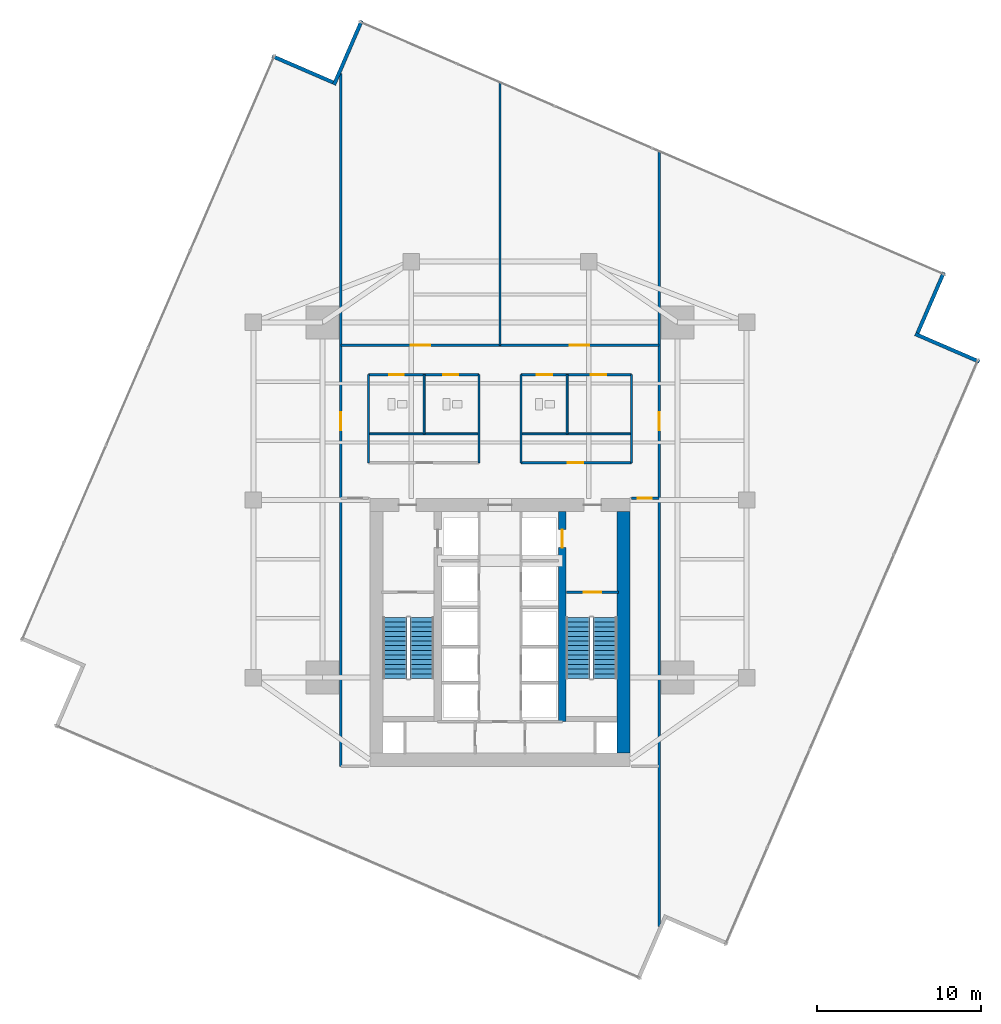
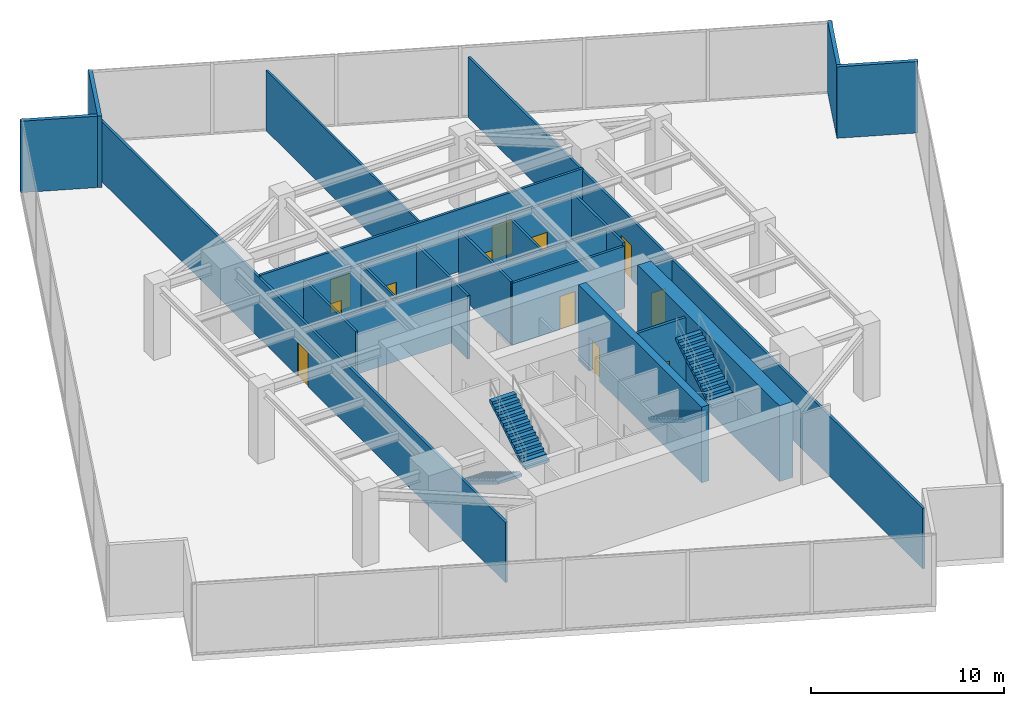
# One storey, part 22 of 24: 23 walls, 12 doors, 4 stair flights, 12 openings, 2 elements without a shape of their own.
"""IFC4 building model written with IfcOpenShell, lengths in metres."""

from ifc_helpers import new_model, si_unit, direction, frame, frame_2d, origin, place, context, subcontext, project, spatial, polyline, rectangle, outline, extrude, material, layer, layer_set, type_object, element, fill, aggregate, save


model = new_model("IFC4")

# Units and contexts
model_context = context("Model", 3, precision=1e-05, world=origin(), true_north=direction((0.0, 1.0)))
body_context = subcontext(model_context, "Body", "Model", "MODEL_VIEW")
ifc_project = project(units=[si_unit("LENGTHUNIT", "METRE"), si_unit("AREAUNIT", "SQUARE_METRE"), si_unit("VOLUMEUNIT", "CUBIC_METRE"), si_unit("PLANEANGLEUNIT", "RADIAN"), si_unit("MASSUNIT", "GRAM", prefix="KILO")], contexts=[model_context])

# Site, building, storey
site_placement = place(None, origin())
site = spatial("IfcSite", under=ifc_project, at=site_placement, CompositionType="ELEMENT")
building_placement = place(site_placement, origin())
building = spatial("IfcBuilding", under=site, at=building_placement, Name="Krantzveldt Concourse Tower", CompositionType="ELEMENT")
storey_placement = place(building_placement, frame((0.0, 0.0, 141.39990234375)))
storey = spatial("IfcBuildingStorey", under=building, at=storey_placement, Name="L34", CompositionType="ELEMENT", Elevation=141.39990234375)

# Walls
ifc_material_1 = material(Name="Anodised aluminium 6063-T6", Category="aluminium")
ifc_layer_1 = layer(ifc_material_1, 0.219970703125, Name="Anodised aluminium 6063-T6", Category="aluminium")
ifc_layer_set_1 = layer_set([ifc_layer_1], Name="Anodised aluminium 6063-T6 (WL-EXT-NOTCH220)")
wall_type_1 = type_object("IfcWallType", Name="WL-EXT-NOTCH220", PredefinedType="ELEMENTEDWALL", material=ifc_layer_set_1)
wall_1_placement = place(storey_placement, frame((25.845458984375, 52.103759765625, 0.0), z_axis=(0.0, 0.0, 1.0), x_axis=(-0.91792331666, 0.396757841424, 0.0)))
element("IfcWall", 1, at=wall_1_placement, inside=storey, type_object=wall_type_1, Name="EW-L34-NCH00", PredefinedType="ELEMENTEDWALL", context=body_context, shape_type="SweptSolid", body=[
    extrude(rectangle(XDim=4.02490234375, YDim=0.219970703125, at=frame_2d((2.012451171875, 0.0))), origin(), (0.0, 0.0, 1.0), 4.52001953125),
])
wall_2_placement = place(storey_placement, frame((65.15576171875, 35.113037109375, 0.0), z_axis=(0.0, 0.0, 1.0), x_axis=(-0.917941955088, 0.396714717511, 0.0)))
element("IfcWall", 2, at=wall_2_placement, inside=storey, type_object=wall_type_1, Name="EW-L34-NCH08", PredefinedType="ELEMENTEDWALL", context=body_context, shape_type="SweptSolid", body=[
    extrude(rectangle(XDim=4.2451171875, YDim=0.219970703125, at=frame_2d((2.12255859375, 0.0))), origin(), (0.0, 0.0, 1.0), 4.52001953125),
])
wall_3_placement = place(storey_placement, frame((61.40380859375, 36.8544921875, 0.0), z_axis=(0.0, 0.0, 1.0), x_axis=(0.396735751645, 0.917932864302, 0.0)))
element("IfcWall", 3, at=wall_3_placement, inside=storey, type_object=wall_type_1, Name="EW-L34-NCH09", PredefinedType="ELEMENTEDWALL", context=body_context, shape_type="SweptSolid", body=[
    extrude(rectangle(XDim=4.025146484375, YDim=0.219970703125, at=frame_2d((2.0126953125, 0.0))), origin(), (0.0, 0.0, 1.0), 4.52001953125),
])
wall_4_placement = place(storey_placement, frame((27.5869140625, 55.855712890625, 0.0), z_axis=(0.0, 0.0, 1.0), x_axis=(-0.396735661984, -0.917932903054, 0.0)))
element("IfcWall", 4, at=wall_4_placement, inside=storey, type_object=wall_type_1, Name="EW-L34-NCH11", PredefinedType="ELEMENTEDWALL", context=body_context, shape_type="SweptSolid", body=[
    extrude(rectangle(XDim=4.244873046875, YDim=0.219970703125, at=frame_2d((2.12255859375, 0.0))), origin(), (0.0, 0.0, 1.0), 4.52001953125),
])
ifc_material_2 = material(Name="Fire-rated gypsum plasterboard on steel stud", Category="steel")
ifc_layer_2 = layer(ifc_material_2, 0.1201171875, Name="Fire-rated gypsum plasterboard on steel stud", Category="steel")
ifc_layer_set_2 = layer_set([ifc_layer_2], Name="Fire-rated gypsum plasterboard on steel stud (WL-PART-120)")
wall_type_2 = type_object("IfcWallType", Name="WL-PART-120", PredefinedType="PARTITIONING", material=ifc_layer_set_2)
for number, where, z_axis, x_axis, name in (
    (5, (28.0, 30.719970703125, 0.0), (0.0, 0.0, 1.0), (1.0, 0.0, 0.0), "WP-L34-SML"),
    (6, (37.280029296875, 30.719970703125, 0.0), (0.0, 0.0, 1.0), (1.0, 0.0, 0.0), "WP-L34-SMR"),
):
    element("IfcWall", number, at=place(storey_placement, frame(where, z_axis=z_axis, x_axis=x_axis)), inside=storey, type_object=wall_type_2, Name=name, PredefinedType="PARTITIONING", context=body_context, shape_type="SweptSolid", body=[
        extrude(rectangle(XDim=6.719970703125, YDim=0.1201171875, at=frame_2d((3.35986328125, 0.0))), origin(), (0.0, 0.0, 1.0), 3.93017578125),
    ])
for number, where, z_axis, x_axis, name in (
    (7, (31.3798828125, 30.719970703125, 0.0), (0.0, 0.0, 1.0), (0.0, 1.0, 0.0), "WP-L34-SD1"),
    (8, (40.080078125, 30.719970703125, 0.0), (0.0, 0.0, 1.0), (0.0, 1.0, 0.0), "WP-L34-SD2"),
):
    element("IfcWall", number, at=place(storey_placement, frame(where, z_axis=z_axis, x_axis=x_axis)), inside=storey, type_object=wall_type_2, Name=name, PredefinedType="PARTITIONING", context=body_context, shape_type="SweptSolid", body=[
        extrude(rectangle(XDim=3.60009765625, YDim=0.1201171875, at=frame_2d((1.800048828125, 0.0))), origin(), (0.0, 0.0, 1.0), 4.02001953125),
    ])
wall_5_placement = place(storey_placement, frame((36.0, 36.1201171875, 0.0), z_axis=(0.0, 0.0, 1.0), x_axis=(0.0, 1.0, 0.0)))
element("IfcWall", 9, at=wall_5_placement, inside=storey, type_object=wall_type_2, Name="WP-L34-ND1", PredefinedType="PARTITIONING", context=body_context, shape_type="SweptSolid", body=[
    extrude(rectangle(XDim=15.97412109375, YDim=0.1201171875, at=frame_2d((7.987060546875, 0.0))), origin(), (0.0, 0.0, 1.0), 3.820068359375),
])

# Wall, opening, door
ifc_layer_3 = layer(ifc_material_2, 0.139892578125, Name="Fire-rated gypsum plasterboard on steel stud", Category="steel")
ifc_layer_set_3 = layer_set([ifc_layer_3], Name="Fire-rated gypsum plasterboard on steel stud (WL-PART-140)")
wall_type_3 = type_object("IfcWallType", Name="WL-PART-140", PredefinedType="PARTITIONING", material=ifc_layer_set_3)
wall_6_placement = place(storey_placement, frame((37.280029296875, 28.9599609375, 0.0), z_axis=(0.0, 0.0, 1.0), x_axis=(1.0, 0.0, 0.0)))
wall_6 = element("IfcWall", 10, at=wall_6_placement, inside=storey, type_object=wall_type_3, Name="WP-L34-SHR", PredefinedType="PARTITIONING", context=body_context, shape_type="SweptSolid", body=[
    extrude(rectangle(XDim=6.719970703125, YDim=0.139892578125, at=frame_2d((3.35986328125, 0.0))), origin(), (0.0, 0.0, 1.0), 3.93017578125),
])
opening_1_placement = place(wall_6_placement, frame((2.844970703125, 0.0, 0.0)))
opening_1 = element("IfcOpeningElement", 11, at=opening_1_placement, cuts=wall_6, Name="Opening D-IN095", PredefinedType="OPENING", context=body_context, shape_type="SweptSolid", body=[
    extrude(rectangle(XDim=0.949951171875, YDim=2.10009765625, at=frame_2d((0.47509765625, 1.050048828125))), frame((0.0, 0.080078125, 0.0), z_axis=(0.0, -1.0, 0.0), x_axis=(1.0, 0.0, 0.0)), (0.0, 0.0, 1.0), 0.159912109375),
])
ifc_material_3 = material(Name="Hardwood timber", Category="wood")
door_type_1 = type_object("IfcDoorType", Name="DR-INT-950", OperationType="SINGLE_SWING_LEFT", PredefinedType="DOOR", material=ifc_material_3)
door_1_placement = place(opening_1_placement, origin())
door_1 = element("IfcDoor", 12, at=door_1_placement, inside=storey, type_object=door_type_1, Name="DR-L34-ALCE", OperationType="SINGLE_SWING_RIGHT", OverallHeight=2.10009765625, OverallWidth=0.949951171875, PredefinedType="DOOR", context=body_context, shape_type="SweptSolid", body=[
    extrude(rectangle(XDim=0.949951171875, YDim=2.10009765625, at=frame_2d((0.47509765625, 1.050048828125))), frame((0.0, 0.02490234375, 0.0), z_axis=(0.0, -1.0, 0.0), x_axis=(1.0, 0.0, 0.0)), (0.0, 0.0, 1.0), 0.050048828125),
])
fill(opening_1, door_1)

# Walls
for number, where, z_axis, x_axis, name in (
    (13, (34.719970703125, 28.9599609375, 0.0), (0.0, 0.0, 1.0), (0.0, 1.0, 0.0), "WP-L34-SNL"),
    (14, (37.280029296875, 28.9599609375, 0.0), (0.0, 0.0, 1.0), (0.0, 1.0, 0.0), "WP-L34-SNR"),
):
    element("IfcWall", number, at=place(storey_placement, frame(where, z_axis=z_axis, x_axis=x_axis)), inside=storey, type_object=wall_type_3, Name=name, PredefinedType="PARTITIONING", context=body_context, shape_type="SweptSolid", body=[
        extrude(rectangle(XDim=5.360107421875, YDim=0.139892578125, at=frame_2d((2.68017578125, 0.0))), origin(), (0.0, 0.0, 1.0), 4.02001953125),
    ])

# Wall, openings, doors
wall_7_placement = place(storey_placement, frame((28.0, 34.320068359375, 0.0), z_axis=(0.0, 0.0, 1.0), x_axis=(1.0, 0.0, 0.0)))
wall_7 = element("IfcWall", 15, at=wall_7_placement, inside=storey, type_object=wall_type_3, Name="WP-L34-SNTL", PredefinedType="PARTITIONING", context=body_context, shape_type="SweptSolid", body=[
    extrude(rectangle(XDim=6.719970703125, YDim=0.139892578125, at=frame_2d((3.35986328125, 0.0))), origin(), (0.0, 0.0, 1.0), 3.93017578125),
])
opening_2_placement = place(wall_7_placement, frame((1.25, 0.0, 0.0)))
opening_2 = element("IfcOpeningElement", 16, at=opening_2_placement, cuts=wall_7, Name="Opening D-IN090", PredefinedType="OPENING", context=body_context, shape_type="SweptSolid", body=[
    extrude(rectangle(XDim=0.89990234375, YDim=2.10009765625, at=frame_2d((0.449951171875, 1.050048828125))), frame((0.0, 0.080078125, 0.0), z_axis=(0.0, -1.0, 0.0), x_axis=(1.0, 0.0, 0.0)), (0.0, 0.0, 1.0), 0.159912109375),
])
opening_3_placement = place(wall_7_placement, frame((4.550048828125, 0.0, 0.0)))
opening_3 = element("IfcOpeningElement", 17, at=opening_3_placement, cuts=wall_7, Name="Opening D-IN090", PredefinedType="OPENING", context=body_context, shape_type="SweptSolid", body=[
    extrude(rectangle(XDim=0.89990234375, YDim=2.10009765625, at=frame_2d((0.449951171875, 1.050048828125))), frame((0.0, 0.080078125, 0.0), z_axis=(0.0, -1.0, 0.0), x_axis=(1.0, 0.0, 0.0)), (0.0, 0.0, 1.0), 0.159912109375),
])
door_type_2 = type_object("IfcDoorType", Name="DR-INT-900", OperationType="SINGLE_SWING_LEFT", PredefinedType="DOOR", material=ifc_material_3)
door_2_placement = place(opening_2_placement, origin())
door_2 = element("IfcDoor", 18, at=door_2_placement, inside=storey, type_object=door_type_2, Name="DR-L34-WCM", OperationType="SINGLE_SWING_LEFT", OverallHeight=2.10009765625, OverallWidth=0.89990234375, PredefinedType="DOOR", context=body_context, shape_type="SweptSolid", body=[
    extrude(rectangle(XDim=0.89990234375, YDim=2.10009765625, at=frame_2d((0.449951171875, 1.050048828125))), frame((0.0, 0.02490234375, 0.0), z_axis=(0.0, -1.0, 0.0), x_axis=(1.0, 0.0, 0.0)), (0.0, 0.0, 1.0), 0.050048828125),
])
fill(opening_2, door_2)
door_3_placement = place(opening_3_placement, origin())
door_3 = element("IfcDoor", 19, at=door_3_placement, inside=storey, type_object=door_type_2, Name="DR-L34-WCF", OperationType="SINGLE_SWING_RIGHT", OverallHeight=2.10009765625, OverallWidth=0.89990234375, PredefinedType="DOOR", context=body_context, shape_type="SweptSolid", body=[
    extrude(rectangle(XDim=0.89990234375, YDim=2.10009765625, at=frame_2d((0.449951171875, 1.050048828125))), frame((0.0, 0.02490234375, 0.0), z_axis=(0.0, -1.0, 0.0), x_axis=(1.0, 0.0, 0.0)), (0.0, 0.0, 1.0), 0.050048828125),
])
fill(opening_3, door_3)

wall_8_placement = place(storey_placement, frame((37.280029296875, 34.320068359375, 0.0), z_axis=(0.0, 0.0, 1.0), x_axis=(1.0, 0.0, 0.0)))
wall_8 = element("IfcWall", 20, at=wall_8_placement, inside=storey, type_object=wall_type_3, Name="WP-L34-SNTR", PredefinedType="PARTITIONING", context=body_context, shape_type="SweptSolid", body=[
    extrude(rectangle(XDim=6.719970703125, YDim=0.139892578125, at=frame_2d((3.35986328125, 0.0))), origin(), (0.0, 0.0, 1.0), 3.93017578125),
])
opening_4_placement = place(wall_8_placement, frame((0.945068359375, 0.0, 0.0)))
opening_4 = element("IfcOpeningElement", 21, at=opening_4_placement, cuts=wall_8, Name="Opening D-IN095", PredefinedType="OPENING", context=body_context, shape_type="SweptSolid", body=[
    extrude(rectangle(XDim=0.949951171875, YDim=2.10009765625, at=frame_2d((0.47509765625, 1.050048828125))), frame((0.0, 0.080078125, 0.0), z_axis=(0.0, -1.0, 0.0), x_axis=(1.0, 0.0, 0.0)), (0.0, 0.0, 1.0), 0.159912109375),
])
opening_5_placement = place(wall_8_placement, frame((4.2451171875, 0.0, 0.0)))
opening_5 = element("IfcOpeningElement", 22, at=opening_5_placement, cuts=wall_8, Name="Opening D-IN095", PredefinedType="OPENING", context=body_context, shape_type="SweptSolid", body=[
    extrude(rectangle(XDim=0.949951171875, YDim=2.10009765625, at=frame_2d((0.47509765625, 1.050048828125))), frame((0.0, 0.080078125, 0.0), z_axis=(0.0, -1.0, 0.0), x_axis=(1.0, 0.0, 0.0)), (0.0, 0.0, 1.0), 0.159912109375),
])
door_4_placement = place(opening_4_placement, origin())
door_4 = element("IfcDoor", 23, at=door_4_placement, inside=storey, type_object=door_type_1, Name="DR-L34-WCA", OperationType="SINGLE_SWING_LEFT", OverallHeight=2.10009765625, OverallWidth=0.949951171875, PredefinedType="DOOR", context=body_context, shape_type="SweptSolid", body=[
    extrude(rectangle(XDim=0.949951171875, YDim=2.10009765625, at=frame_2d((0.47509765625, 1.050048828125))), frame((0.0, 0.02490234375, 0.0), z_axis=(0.0, -1.0, 0.0), x_axis=(1.0, 0.0, 0.0)), (0.0, 0.0, 1.0), 0.050048828125),
])
fill(opening_4, door_4)
door_5_placement = place(opening_5_placement, origin())
door_5 = element("IfcDoor", 24, at=door_5_placement, inside=storey, type_object=door_type_1, Name="DR-L34-PNT", OperationType="SINGLE_SWING_RIGHT", OverallHeight=2.10009765625, OverallWidth=0.949951171875, PredefinedType="DOOR", context=body_context, shape_type="SweptSolid", body=[
    extrude(rectangle(XDim=0.949951171875, YDim=2.10009765625, at=frame_2d((0.47509765625, 1.050048828125))), frame((0.0, 0.02490234375, 0.0), z_axis=(0.0, -1.0, 0.0), x_axis=(1.0, 0.0, 0.0)), (0.0, 0.0, 1.0), 0.050048828125),
])
fill(opening_5, door_5)

# Walls
for number, where, z_axis, x_axis, name in (
    (25, (28.0, 28.9599609375, 0.0), (0.0, 0.0, 1.0), (0.0, 1.0, 0.0), "WP-L34-SWL"),
    (26, (44.0, 28.9599609375, 0.0), (0.0, 0.0, 1.0), (0.0, 1.0, 0.0), "WP-L34-SER"),
):
    element("IfcWall", number, at=place(storey_placement, frame(where, z_axis=z_axis, x_axis=x_axis)), inside=storey, type_object=wall_type_3, Name=name, PredefinedType="PARTITIONING", context=body_context, shape_type="SweptSolid", body=[
        extrude(rectangle(XDim=5.360107421875, YDim=0.139892578125, at=frame_2d((2.68017578125, 0.0))), origin(), (0.0, 0.0, 1.0), 4.1201171875),
    ])

# Wall, openings, doors
wall_9_placement = place(storey_placement, frame((26.320068359375, 36.1201171875, 0.0), z_axis=(0.0, 0.0, 1.0), x_axis=(1.0, 0.0, 0.0)))
wall_9 = element("IfcWall", 27, at=wall_9_placement, inside=storey, type_object=wall_type_3, Name="WP-L34-SGT", PredefinedType="PARTITIONING", context=body_context, shape_type="SweptSolid", body=[
    extrude(rectangle(XDim=19.35986328125, YDim=0.139892578125, at=frame_2d((9.679931640625, 0.0))), origin(), (0.0, 0.0, 1.0), 3.93017578125),
])
opening_6_placement = place(wall_9_placement, frame((4.239990234375, 0.0, 0.0)))
opening_6 = element("IfcOpeningElement", 28, at=opening_6_placement, cuts=wall_9, Name="Opening D-DB120", PredefinedType="OPENING", context=body_context, shape_type="SweptSolid", body=[
    extrude(rectangle(XDim=1.199951171875, YDim=2.14990234375, at=frame_2d((0.60009765625, 1.074951171875))), frame((0.0, 0.080078125, 0.0), z_axis=(0.0, -1.0, 0.0), x_axis=(1.0, 0.0, 0.0)), (0.0, 0.0, 1.0), 0.159912109375),
])
opening_7_placement = place(wall_9_placement, frame((13.919921875, 0.0, 0.0)))
opening_7 = element("IfcOpeningElement", 29, at=opening_7_placement, cuts=wall_9, Name="Opening D-DB120", PredefinedType="OPENING", context=body_context, shape_type="SweptSolid", body=[
    extrude(rectangle(XDim=1.199951171875, YDim=2.14990234375, at=frame_2d((0.60009765625, 1.074951171875))), frame((0.0, 0.080078125, 0.0), z_axis=(0.0, -1.0, 0.0), x_axis=(1.0, 0.0, 0.0)), (0.0, 0.0, 1.0), 0.159912109375),
])
door_type_3 = type_object("IfcDoorType", Name="DR-DBL-1200", OperationType="SINGLE_SWING_LEFT", PredefinedType="DOOR", material=ifc_material_1)
door_6_placement = place(opening_6_placement, origin())
door_6 = element("IfcDoor", 30, at=door_6_placement, inside=storey, type_object=door_type_3, Name="DR-L34-SKYN1", OperationType="SINGLE_SWING_LEFT", OverallHeight=2.14990234375, OverallWidth=1.199951171875, PredefinedType="DOOR", context=body_context, shape_type="SweptSolid", body=[
    extrude(rectangle(XDim=1.199951171875, YDim=2.14990234375, at=frame_2d((0.60009765625, 1.074951171875))), frame((0.0, 0.02490234375, 0.0), z_axis=(0.0, -1.0, 0.0), x_axis=(1.0, 0.0, 0.0)), (0.0, 0.0, 1.0), 0.050048828125),
])
fill(opening_6, door_6)
door_7_placement = place(opening_7_placement, origin())
door_7 = element("IfcDoor", 31, at=door_7_placement, inside=storey, type_object=door_type_3, Name="DR-L34-SKYN2", OperationType="SINGLE_SWING_LEFT", OverallHeight=2.14990234375, OverallWidth=1.199951171875, PredefinedType="DOOR", context=body_context, shape_type="SweptSolid", body=[
    extrude(rectangle(XDim=1.199951171875, YDim=2.14990234375, at=frame_2d((0.60009765625, 1.074951171875))), frame((0.0, 0.02490234375, 0.0), z_axis=(0.0, -1.0, 0.0), x_axis=(1.0, 0.0, 0.0)), (0.0, 0.0, 1.0), 0.050048828125),
])
fill(opening_7, door_7)

# Wall, opening, door
wall_10_placement = place(storey_placement, frame((26.320068359375, 10.5, 0.0), z_axis=(0.0, 0.0, 1.0), x_axis=(0.0, 1.0, 0.0)))
wall_10 = element("IfcWall", 32, at=wall_10_placement, inside=storey, type_object=wall_type_3, Name="WP-L34-CWL", PredefinedType="PARTITIONING", context=body_context, shape_type="SweptSolid", body=[
    extrude(rectangle(XDim=42.134521484375, YDim=0.139892578125, at=frame_2d((21.0673828125, 0.0))), origin(), (0.0, 0.0, 1.0), 3.820068359375),
])
opening_8_placement = place(wall_10_placement, frame((20.449951171875, 0.0, 0.0)))
opening_8 = element("IfcOpeningElement", 33, at=opening_8_placement, cuts=wall_10, Name="Opening D-IN110", PredefinedType="OPENING", context=body_context, shape_type="SweptSolid", body=[
    extrude(rectangle(XDim=1.10009765625, YDim=2.14990234375, at=frame_2d((0.550048828125, 1.074951171875))), frame((0.0, 0.080078125, 0.0), z_axis=(0.0, -1.0, 0.0), x_axis=(1.0, 0.0, 0.0)), (0.0, 0.0, 1.0), 0.159912109375),
])
door_type_4 = type_object("IfcDoorType", Name="DR-INT-1100", OperationType="SINGLE_SWING_LEFT", PredefinedType="DOOR", material=ifc_material_3)
door_8_placement = place(opening_8_placement, origin())
door_8 = element("IfcDoor", 34, at=door_8_placement, inside=storey, type_object=door_type_4, Name="DR-L34-SKYW", OperationType="SINGLE_SWING_LEFT", OverallHeight=2.14990234375, OverallWidth=1.10009765625, PredefinedType="DOOR", context=body_context, shape_type="SweptSolid", body=[
    extrude(rectangle(XDim=1.10009765625, YDim=2.14990234375, at=frame_2d((0.550048828125, 1.074951171875))), frame((0.0, 0.02490234375, 0.0), z_axis=(0.0, -1.0, 0.0), x_axis=(1.0, 0.0, 0.0)), (0.0, 0.0, 1.0), 0.050048828125),
])
fill(opening_8, door_8)

wall_11_placement = place(storey_placement, frame((45.679931640625, 0.765380859375, 0.0), z_axis=(0.0, 0.0, 1.0), x_axis=(0.0, 1.0, 0.0)))
wall_11 = element("IfcWall", 35, at=wall_11_placement, inside=storey, type_object=wall_type_3, Name="WP-L34-CER", PredefinedType="PARTITIONING", context=body_context, shape_type="SweptSolid", body=[
    extrude(rectangle(XDim=47.14501953125, YDim=0.139892578125, at=frame_2d((23.572509765625, 0.0))), origin(), (0.0, 0.0, 1.0), 3.820068359375),
])
opening_9_placement = place(wall_11_placement, frame((30.1845703125, 0.0, 0.0)))
opening_9 = element("IfcOpeningElement", 36, at=opening_9_placement, cuts=wall_11, Name="Opening D-IN110", PredefinedType="OPENING", context=body_context, shape_type="SweptSolid", body=[
    extrude(rectangle(XDim=1.10009765625, YDim=2.14990234375, at=frame_2d((0.550048828125, 1.074951171875))), frame((0.0, 0.080078125, 0.0), z_axis=(0.0, -1.0, 0.0), x_axis=(1.0, 0.0, 0.0)), (0.0, 0.0, 1.0), 0.159912109375),
])
door_9_placement = place(opening_9_placement, origin())
door_9 = element("IfcDoor", 37, at=door_9_placement, inside=storey, type_object=door_type_4, Name="DR-L34-SKYE", OperationType="SINGLE_SWING_RIGHT", OverallHeight=2.14990234375, OverallWidth=1.10009765625, PredefinedType="DOOR", context=body_context, shape_type="SweptSolid", body=[
    extrude(rectangle(XDim=1.10009765625, YDim=2.14990234375, at=frame_2d((0.550048828125, 1.074951171875))), frame((0.0, 0.02490234375, 0.0), z_axis=(0.0, -1.0, 0.0), x_axis=(1.0, 0.0, 0.0)), (0.0, 0.0, 1.0), 0.050048828125),
])
fill(opening_9, door_9)

wall_12_placement = place(storey_placement, frame((44.0, 26.800048828125, 0.0), z_axis=(0.0, 0.0, 1.0), x_axis=(1.0, 0.0, 0.0)))
wall_12 = element("IfcWall", 38, at=wall_12_placement, inside=storey, type_object=wall_type_3, Name="WP-L34-CSE", PredefinedType="PARTITIONING", context=body_context, shape_type="SweptSolid", body=[
    extrude(rectangle(XDim=1.679931640625, YDim=0.139892578125, at=frame_2d((0.83984375, 0.0))), origin(), (0.0, 0.0, 1.0), 3.93017578125),
])
opening_10_placement = place(wall_12_placement, frame((0.385009765625, 0.0, 0.0)))
opening_10 = element("IfcOpeningElement", 39, at=opening_10_placement, cuts=wall_12, Name="Opening D-IN085", PredefinedType="OPENING", context=body_context, shape_type="SweptSolid", body=[
    extrude(rectangle(XDim=0.85009765625, YDim=2.10009765625, at=frame_2d((0.425048828125, 1.050048828125))), frame((0.0, 0.080078125, 0.0), z_axis=(0.0, -1.0, 0.0), x_axis=(1.0, 0.0, 0.0)), (0.0, 0.0, 1.0), 0.159912109375),
])
door_type_5 = type_object("IfcDoorType", Name="DR-INT-850", OperationType="SINGLE_SWING_LEFT", PredefinedType="DOOR", material=ifc_material_3)
door_10_placement = place(opening_10_placement, origin())
door_10 = element("IfcDoor", 40, at=door_10_placement, inside=storey, type_object=door_type_5, Name="DR-L34-PKE", OperationType="SINGLE_SWING_LEFT", OverallHeight=2.10009765625, OverallWidth=0.85009765625, PredefinedType="DOOR", context=body_context, shape_type="SweptSolid", body=[
    extrude(rectangle(XDim=0.85009765625, YDim=2.10009765625, at=frame_2d((0.425048828125, 1.050048828125))), frame((0.0, 0.02490234375, 0.0), z_axis=(0.0, -1.0, 0.0), x_axis=(1.0, 0.0, 0.0)), (0.0, 0.0, 1.0), 0.050048828125),
])
fill(opening_10, door_10)

ifc_layer_4 = layer(ifc_material_2, 0.159912109375, Name="Fire-rated gypsum plasterboard on steel stud", Category="steel")
ifc_layer_set_4 = layer_set([ifc_layer_4], Name="Fire-rated gypsum plasterboard on steel stud (WL-PART-FR160)")
wall_type_4 = type_object("IfcWallType", Name="WL-PART-FR160", PredefinedType="PARTITIONING", material=ifc_layer_set_4)
wall_13_placement = place(storey_placement, frame((40.0400390625, 21.080078125, 0.0), z_axis=(0.0, 0.0, 1.0), x_axis=(1.0, 0.0, 0.0)))
wall_13 = element("IfcWall", 41, at=wall_13_placement, inside=storey, type_object=wall_type_4, Name="WP-L34-ST2", PredefinedType="PARTITIONING", context=body_context, shape_type="SweptSolid", body=[
    extrude(rectangle(XDim=3.159912109375, YDim=0.159912109375, at=frame_2d((1.580078125, 0.0))), origin(), (0.0, 0.0, 1.0), 4.52001953125),
])
opening_11_placement = place(wall_13_placement, frame((1.054931640625, 0.0, 0.0)))
opening_11 = element("IfcOpeningElement", 42, at=opening_11_placement, cuts=wall_13, Name="Opening D-FD105", PredefinedType="OPENING", context=body_context, shape_type="SweptSolid", body=[
    extrude(rectangle(XDim=1.050048828125, YDim=2.10009765625, at=frame_2d((0.52490234375, 1.050048828125))), frame((0.0, 0.08984375, 0.0), z_axis=(0.0, -1.0, 0.0), x_axis=(1.0, 0.0, 0.0)), (0.0, 0.0, 1.0), 0.179931640625),
])
ifc_material_4 = material(Name="Galvanised steel", Category="steel")
door_type_6 = type_object("IfcDoorType", Name="DR-FD120-1050", OperationType="SINGLE_SWING_LEFT", PredefinedType="DOOR", material=ifc_material_4)
door_11_placement = place(opening_11_placement, origin())
door_11 = element("IfcDoor", 43, at=door_11_placement, inside=storey, type_object=door_type_6, Name="DR-L34-ST2", OperationType="SINGLE_SWING_LEFT", OverallHeight=2.10009765625, OverallWidth=1.050048828125, PredefinedType="DOOR", context=body_context, shape_type="SweptSolid", body=[
    extrude(rectangle(XDim=1.050048828125, YDim=2.10009765625, at=frame_2d((0.52490234375, 1.050048828125))), frame((0.0, 0.02490234375, 0.0), z_axis=(0.0, -1.0, 0.0), x_axis=(1.0, 0.0, 0.0)), (0.0, 0.0, 1.0), 0.050048828125),
])
fill(opening_11, door_11)

ifc_material_5 = material(Name="Concrete C50/60", Category="concrete")
ifc_layer_5 = layer(ifc_material_5, 0.449951171875, Name="Concrete C50/60", Category="concrete")
ifc_layer_set_5 = layer_set([ifc_layer_5], Name="Concrete C50/60 (WL-SHEAR-450)")
wall_type_5 = type_object("IfcWallType", Name="WL-SHEAR-450", PredefinedType="SHEAR", material=ifc_layer_set_5)
wall_14_placement = place(storey_placement, frame((39.794921875, 13.219970703125, 0.0), z_axis=(0.0, 0.0, 1.0), x_axis=(0.0, 1.0, 0.0)))
wall_14 = element("IfcWall", 44, at=wall_14_placement, inside=storey, type_object=wall_type_5, Name="CW-L34-IE", PredefinedType="SHEAR", context=body_context, shape_type="SweptSolid", body=[
    extrude(rectangle(XDim=12.780029296875, YDim=0.449951171875, at=frame_2d((6.39013671875, 0.0))), origin(), (0.0, 0.0, 1.0), 4.800048828125),
])
opening_12_placement = place(wall_14_placement, frame((10.580078125, 0.0, 0.0)))
opening_12 = element("IfcOpeningElement", 45, at=opening_12_placement, cuts=wall_14, Name="Opening LD", PredefinedType="OPENING", context=body_context, shape_type="SweptSolid", body=[
    extrude(rectangle(XDim=1.10009765625, YDim=2.14990234375, at=frame_2d((0.550048828125, 1.074951171875))), frame((0.0, 0.23486328125, 0.0), z_axis=(0.0, -1.0, 0.0), x_axis=(1.0, 0.0, 0.0)), (0.0, 0.0, 1.0), 0.469970703125),
])
ifc_material_6 = material(Name="Stainless steel 316L", Category="steel")
door_type_7 = type_object("IfcDoorType", Name="DR-SLIDE-LD1100", OperationType="DOUBLE_DOOR_SLIDING", PredefinedType="DOOR", material=ifc_material_6)
door_12_placement = place(opening_12_placement, origin())
door_12 = element("IfcDoor", 46, at=door_12_placement, inside=storey, type_object=door_type_7, Name="LD-L34-FL2", OperationType="DOUBLE_DOOR_SLIDING", OverallHeight=2.14990234375, OverallWidth=1.10009765625, PredefinedType="DOOR", context=body_context, shape_type="SweptSolid", body=[
    extrude(rectangle(XDim=1.10009765625, YDim=2.14990234375, at=frame_2d((0.550048828125, 1.074951171875))), frame((0.0, 0.02490234375, 0.0), z_axis=(0.0, -1.0, 0.0), x_axis=(1.0, 0.0, 0.0)), (0.0, 0.0, 1.0), 0.050048828125),
])
fill(opening_12, door_12)

# Wall
ifc_material_7 = material(Name="Concrete C60/75", Category="concrete")
ifc_layer_6 = layer(ifc_material_7, 0.800048828125, Name="Concrete C60/75", Category="concrete")
ifc_layer_set_6 = layer_set([ifc_layer_6], Name="Concrete C60/75 (WL-SHEAR-800)")
wall_type_6 = type_object("IfcWallType", Name="WL-SHEAR-800", PredefinedType="SHEAR", material=ifc_layer_set_6)
wall_15_placement = place(storey_placement, frame((43.52001953125, 11.300048828125, 0.0), z_axis=(0.0, 0.0, 1.0), x_axis=(0.0, 1.0, 0.0)))
element("IfcWall", 47, at=wall_15_placement, inside=storey, type_object=wall_type_6, Name="CW-L34-E", PredefinedType="SHEAR", context=body_context, shape_type="SweptSolid", body=[
    extrude(rectangle(XDim=14.699951171875, YDim=0.800048828125, at=frame_2d((7.35009765625, 0.0))), origin(), (0.0, 0.0, 1.0), 4.800048828125),
])

# Stair, stair flights
ifc_material_8 = material(Name="Precast concrete C40/50", Category="concrete")
stair_type = type_object("IfcStairType", Name="STR-CORE-DOGLEG", PredefinedType="HALF_TURN_STAIR", material=ifc_material_8)
stair_1_placement = place(storey_placement, origin())
stair_1 = element("IfcStair", 48, at=stair_1_placement, inside=storey, type_object=stair_type, Name="L34 Protected Escape Stair ST-1", PredefinedType="HALF_TURN_STAIR")
stair_flight_type = type_object("IfcStairFlightType", Name="STF-CORE-1450", PredefinedType="STRAIGHT", material=ifc_material_8)
stair_flight_1_placement = place(storey_placement, frame((29.60498046875, 19.550048828125, 0.0), z_axis=(0.0, 0.0, 1.0), x_axis=(0.0, -1.0, 0.0)))
stair_flight_1 = element("IfcStairFlight", 49, at=stair_flight_1_placement, type_object=stair_flight_type, Name="ST-1 flight 1", NumberOfRisers=14, NumberOfTreads=13, PredefinedType="STRAIGHT", RiserHeight=0.171428571, TreadLength=0.285, context=body_context, shape_type="SweptSolid", body=[
    extrude(outline(polyline([(0.0, 0.0), (0.0, 0.17138671875), (0.284912109375, 0.17138671875), (0.284912109375, 0.3427734375), (0.570068359375, 0.3427734375), (0.570068359375, 0.514404296875), (0.85498046875, 0.514404296875), (0.85498046875, 0.685791015625), (1.139892578125, 0.685791015625), (1.139892578125, 0.857177734375), (1.425048828125, 0.857177734375), (1.425048828125, 1.028564453125), (1.7099609375, 1.028564453125), (1.7099609375, 1.199951171875), (1.9951171875, 1.199951171875), (1.9951171875, 1.371337890625), (2.280029296875, 1.371337890625), (2.280029296875, 1.54296875), (2.56494140625, 1.54296875), (2.56494140625, 1.71435546875), (2.85009765625, 1.71435546875), (2.85009765625, 1.8857421875), (3.135009765625, 1.8857421875), (3.135009765625, 2.05712890625), (3.419921875, 2.05712890625), (3.419921875, 2.228515625), (3.705078125, 2.228515625), (3.705078125, 2.39990234375), (3.705078125, 2.0537109375), (0.290771484375, 0.0), (0.0, 0.0)])), frame((0.0, 0.72509765625, 0.0), z_axis=(0.0, -1.0, 0.0), x_axis=(1.0, 0.0, 0.0)), (0.0, 0.0, 1.0), 1.449951171875),
])
stair_flight_2_placement = place(storey_placement, frame((31.2548828125, 15.844970703125, 2.400146484375), z_axis=(0.0, 0.0, 1.0), x_axis=(0.0, 1.0, 0.0)))
stair_flight_2 = element("IfcStairFlight", 50, at=stair_flight_2_placement, type_object=stair_flight_type, Name="ST-1 flight 2", NumberOfRisers=14, NumberOfTreads=13, PredefinedType="STRAIGHT", RiserHeight=0.171428571, TreadLength=0.285, context=body_context, shape_type="SweptSolid", body=[
    extrude(outline(polyline([(0.0, 0.0), (0.0, 0.17138671875), (0.284912109375, 0.17138671875), (0.284912109375, 0.3427734375), (0.570068359375, 0.3427734375), (0.570068359375, 0.514404296875), (0.85498046875, 0.514404296875), (0.85498046875, 0.685791015625), (1.139892578125, 0.685791015625), (1.139892578125, 0.857177734375), (1.425048828125, 0.857177734375), (1.425048828125, 1.028564453125), (1.7099609375, 1.028564453125), (1.7099609375, 1.199951171875), (1.9951171875, 1.199951171875), (1.9951171875, 1.371337890625), (2.280029296875, 1.371337890625), (2.280029296875, 1.54296875), (2.56494140625, 1.54296875), (2.56494140625, 1.71435546875), (2.85009765625, 1.71435546875), (2.85009765625, 1.8857421875), (3.135009765625, 1.8857421875), (3.135009765625, 2.05712890625), (3.419921875, 2.05712890625), (3.419921875, 2.228515625), (3.705078125, 2.228515625), (3.705078125, 2.39990234375), (3.705078125, 2.0537109375), (0.290771484375, 0.0), (0.0, 0.0)])), frame((0.0, 0.72509765625, 0.0), z_axis=(0.0, -1.0, 0.0), x_axis=(1.0, 0.0, 0.0)), (0.0, 0.0, 1.0), 1.449951171875),
])
aggregate(stair_1, [stair_flight_1, stair_flight_2])

stair_2_placement = place(storey_placement, origin())
stair_2 = element("IfcStair", 51, at=stair_2_placement, inside=storey, type_object=stair_type, Name="L34 Protected Escape Stair ST-2", PredefinedType="HALF_TURN_STAIR")
stair_flight_3_placement = place(storey_placement, frame((40.7451171875, 19.550048828125, 0.0), z_axis=(0.0, 0.0, 1.0), x_axis=(0.0, -1.0, 0.0)))
stair_flight_3 = element("IfcStairFlight", 52, at=stair_flight_3_placement, type_object=stair_flight_type, Name="ST-2 flight 1", NumberOfRisers=14, NumberOfTreads=13, PredefinedType="STRAIGHT", RiserHeight=0.171428571, TreadLength=0.285, context=body_context, shape_type="SweptSolid", body=[
    extrude(outline(polyline([(0.0, 0.0), (0.0, 0.17138671875), (0.284912109375, 0.17138671875), (0.284912109375, 0.3427734375), (0.570068359375, 0.3427734375), (0.570068359375, 0.514404296875), (0.85498046875, 0.514404296875), (0.85498046875, 0.685791015625), (1.139892578125, 0.685791015625), (1.139892578125, 0.857177734375), (1.425048828125, 0.857177734375), (1.425048828125, 1.028564453125), (1.7099609375, 1.028564453125), (1.7099609375, 1.199951171875), (1.9951171875, 1.199951171875), (1.9951171875, 1.371337890625), (2.280029296875, 1.371337890625), (2.280029296875, 1.54296875), (2.56494140625, 1.54296875), (2.56494140625, 1.71435546875), (2.85009765625, 1.71435546875), (2.85009765625, 1.8857421875), (3.135009765625, 1.8857421875), (3.135009765625, 2.05712890625), (3.419921875, 2.05712890625), (3.419921875, 2.228515625), (3.705078125, 2.228515625), (3.705078125, 2.39990234375), (3.705078125, 2.0537109375), (0.290771484375, 0.0), (0.0, 0.0)])), frame((0.0, 0.72509765625, 0.0), z_axis=(0.0, -1.0, 0.0), x_axis=(1.0, 0.0, 0.0)), (0.0, 0.0, 1.0), 1.449951171875),
])
stair_flight_4_placement = place(storey_placement, frame((42.39501953125, 15.844970703125, 2.400146484375), z_axis=(0.0, 0.0, 1.0), x_axis=(0.0, 1.0, 0.0)))
stair_flight_4 = element("IfcStairFlight", 53, at=stair_flight_4_placement, type_object=stair_flight_type, Name="ST-2 flight 2", NumberOfRisers=14, NumberOfTreads=13, PredefinedType="STRAIGHT", RiserHeight=0.171428571, TreadLength=0.285, context=body_context, shape_type="SweptSolid", body=[
    extrude(outline(polyline([(0.0, 0.0), (0.0, 0.17138671875), (0.284912109375, 0.17138671875), (0.284912109375, 0.3427734375), (0.570068359375, 0.3427734375), (0.570068359375, 0.514404296875), (0.85498046875, 0.514404296875), (0.85498046875, 0.685791015625), (1.139892578125, 0.685791015625), (1.139892578125, 0.857177734375), (1.425048828125, 0.857177734375), (1.425048828125, 1.028564453125), (1.7099609375, 1.028564453125), (1.7099609375, 1.199951171875), (1.9951171875, 1.199951171875), (1.9951171875, 1.371337890625), (2.280029296875, 1.371337890625), (2.280029296875, 1.54296875), (2.56494140625, 1.54296875), (2.56494140625, 1.71435546875), (2.85009765625, 1.71435546875), (2.85009765625, 1.8857421875), (3.135009765625, 1.8857421875), (3.135009765625, 2.05712890625), (3.419921875, 2.05712890625), (3.419921875, 2.228515625), (3.705078125, 2.228515625), (3.705078125, 2.39990234375), (3.705078125, 2.0537109375), (0.290771484375, 0.0), (0.0, 0.0)])), frame((0.0, 0.72509765625, 0.0), z_axis=(0.0, -1.0, 0.0), x_axis=(1.0, 0.0, 0.0)), (0.0, 0.0, 1.0), 1.449951171875),
])
aggregate(stair_2, [stair_flight_3, stair_flight_4])

save(model, "model.ifc")
